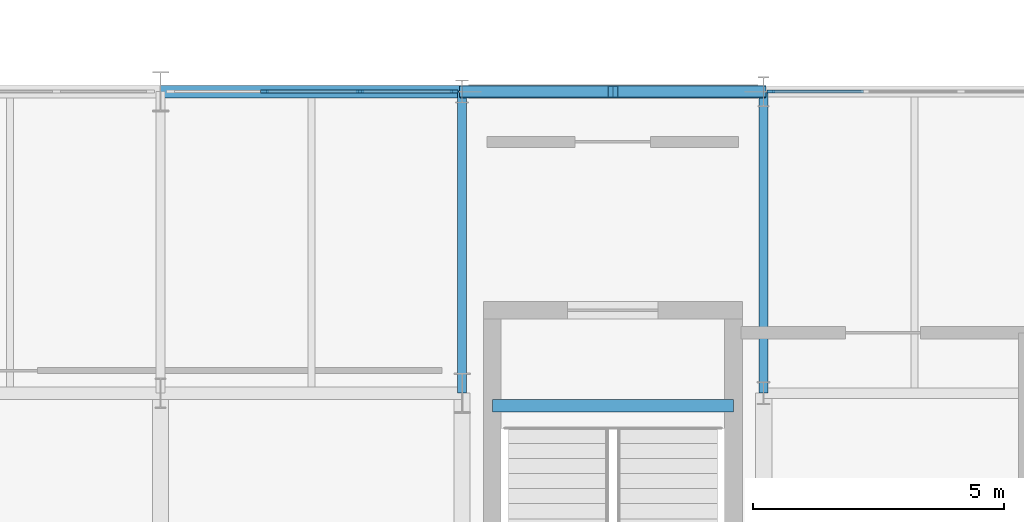
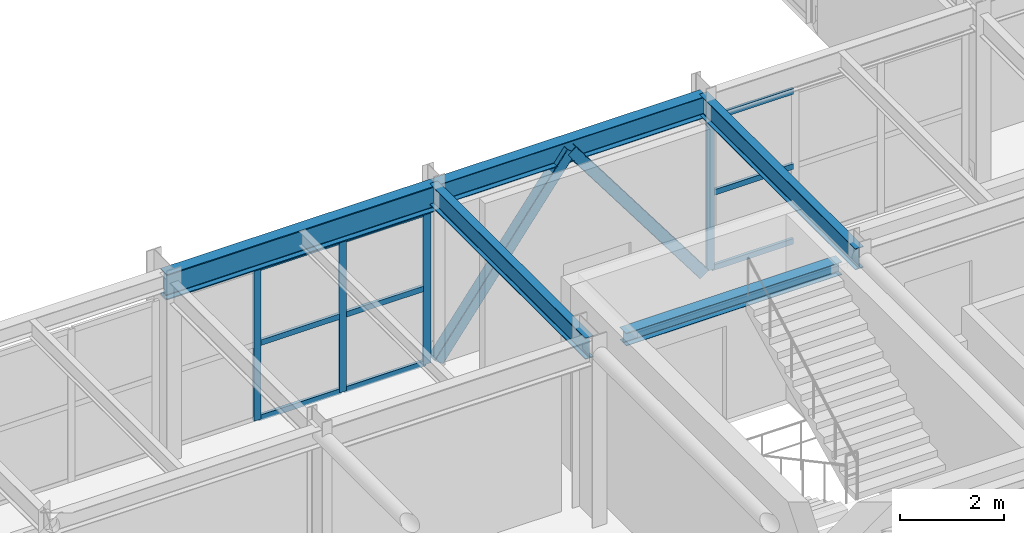
# One storey, part 32 of 84: 15 members, 5 beams, 2 elements without a shape of their own.
"""IFC4 building model written with IfcOpenShell, lengths in metres."""

from ifc_helpers import new_model, si_unit, direction, frame, origin, origin_2d, place, context, subcontext, project, spatial, rectangle, hollow_rectangle, i_section, extrude, material, material_profile, profile_set, type_object, element, aggregate, save


model = new_model("IFC4")

# Units and contexts
model_context = context("Model", 3, precision=1e-05, world=origin(), true_north=direction((0.0, 1.0)))
body_context = subcontext(model_context, "Body", "Model", "MODEL_VIEW")
ifc_project = project(units=[si_unit("LENGTHUNIT", "METRE"), si_unit("AREAUNIT", "SQUARE_METRE"), si_unit("VOLUMEUNIT", "CUBIC_METRE"), si_unit("PLANEANGLEUNIT", "RADIAN"), si_unit("MASSUNIT", "GRAM", prefix="KILO")], contexts=[model_context])

# Site, building, storey
site_placement = place(None, origin())
site = spatial("IfcSite", under=ifc_project, at=site_placement, CompositionType="ELEMENT")
building_placement = place(site_placement, origin())
building = spatial("IfcBuilding", under=site, at=building_placement, Name="Varnakota Square Police Headquarters", CompositionType="ELEMENT")
storey_placement = place(building_placement, frame((0.0, 0.0, 13.5)))
storey = spatial("IfcBuildingStorey", under=building, at=storey_placement, Name="L03", CompositionType="ELEMENT", Elevation=13.5)

# Beams
ifc_material_1 = material(Name="Steel IS 2062 Grade 350", Category="steel")
ifc_material_profile_1 = material_profile(ifc_material_1, i_section(OverallWidth=0.25, OverallDepth=0.300048828125, WebThickness=0.009521484375, FlangeThickness=0.010498046875, FilletRadius=0.011962890625, at=origin_2d()), Name="ISHB 300")
ifc_profile_set_1 = profile_set([ifc_material_profile_1], Name="Steel IS 2062 Grade 350")
beam_type_1 = type_object("IfcBeamType", Name="BM-ISHB300", PredefinedType="BEAM", material=ifc_profile_set_1)
beam_1_placement = place(storey_placement, frame((126.60009765625, 8.75, 4.14990234375), z_axis=(1.0, 0.0, 0.0), x_axis=(0.0, 1.0, 0.0)))
element("IfcBeam", 1, at=beam_1_placement, inside=storey, type_object=beam_type_1, Name="Stair landing support beam BM-LND-0009", PredefinedType="BEAM", context=body_context, shape_type="SweptSolid", body=[
    extrude(i_section(OverallWidth=0.25, OverallDepth=0.300048828125, WebThickness=0.009521484375, FlangeThickness=0.010498046875, FilletRadius=0.011962890625, at=origin_2d()), origin(), (0.0, 0.0, 1.0), 4.7998046875),
])
ifc_material_profile_2 = material_profile(ifc_material_1, i_section(OverallWidth=0.179931640625, OverallDepth=0.5, WebThickness=0.01025390625, FlangeThickness=0.01708984375, FilletRadius=0.01708984375, at=origin_2d()), Name="ISMB 500")
ifc_profile_set_2 = profile_set([ifc_material_profile_2], Name="Steel IS 2062 Grade 350")
beam_type_2 = type_object("IfcBeamType", Name="BM-ISMB500", PredefinedType="BEAM", material=ifc_profile_set_2)
for number, where, z_axis, x_axis, name in (
    (2, (126.0, 9.0, 3.949951171875), (0.0, 1.0, 0.0), (-1.0, 0.0, 0.0), "BMG-L03-2699"),
    (3, (132.0, 9.0, 3.949951171875), (0.0, 1.0, 0.0), (-1.0, 0.0, 0.0), "BMG-L03-2705"),
):
    element("IfcBeam", number, at=place(storey_placement, frame(where, z_axis=z_axis, x_axis=x_axis)), inside=storey, type_object=beam_type_2, Name=name, PredefinedType="BEAM", context=body_context, shape_type="SweptSolid", body=[
        extrude(i_section(OverallWidth=0.179931640625, OverallDepth=0.5, WebThickness=0.01025390625, FlangeThickness=0.01708984375, FilletRadius=0.01708984375, at=origin_2d()), origin(), (0.0, 0.0, 1.0), 6.0),
    ])
ifc_material_profile_3 = material_profile(ifc_material_1, i_section(OverallWidth=0.25, OverallDepth=0.5, WebThickness=0.010009765625, FlangeThickness=0.0146484375, FilletRadius=0.014892578125, at=origin_2d()), Name="ISWB 500")
ifc_profile_set_3 = profile_set([ifc_material_profile_3], Name="Steel IS 2062 Grade 350")
beam_type_3 = type_object("IfcBeamType", Name="BM-ISWB500", PredefinedType="BEAM", material=ifc_profile_set_3)
beam_2_placement = place(storey_placement, frame((126.0, 15.0, 3.949951171875), z_axis=(1.0, 0.0, 0.0), x_axis=(0.0, 1.0, 0.0)))
element("IfcBeam", 4, at=beam_2_placement, inside=storey, type_object=beam_type_3, Name="BMG-L03-2439", PredefinedType="BEAM", context=body_context, shape_type="SweptSolid", body=[
    extrude(i_section(OverallWidth=0.25, OverallDepth=0.5, WebThickness=0.010009765625, FlangeThickness=0.0146484375, FilletRadius=0.014892578125, at=origin_2d()), origin(), (0.0, 0.0, 1.0), 6.0),
])
ifc_material_profile_4 = material_profile(ifc_material_1, i_section(OverallWidth=0.25, OverallDepth=0.60009765625, WebThickness=0.01171875, FlangeThickness=0.023681640625, FilletRadius=0.01708984375, at=origin_2d()), Name="ISWB 600")
ifc_profile_set_4 = profile_set([ifc_material_profile_4], Name="Steel IS 2062 Grade 350")
beam_type_4 = type_object("IfcBeamType", Name="BM-ISWB600", PredefinedType="BEAM", material=ifc_profile_set_4)
beam_3_placement = place(storey_placement, frame((120.0, 15.0, 3.89990234375), z_axis=(1.0, 0.0, 0.0), x_axis=(0.0, 1.0, 0.0)))
element("IfcBeam", 5, at=beam_3_placement, inside=storey, type_object=beam_type_4, Name="BMG-L03-2438", PredefinedType="BEAM", context=body_context, shape_type="SweptSolid", body=[
    extrude(i_section(OverallWidth=0.25, OverallDepth=0.60009765625, WebThickness=0.01171875, FlangeThickness=0.023681640625, FilletRadius=0.01708984375, at=origin_2d()), origin(), (0.0, 0.0, 1.0), 6.0),
])

# Curtain wall, members
ifc_material_2 = material(Name="Anodised Aluminium Framing", Category="aluminium")
curtain_wall_type = type_object("IfcCurtainWallType", Name="CW-SYS-D", PredefinedType="NOTDEFINED", material=ifc_material_2)
curtain_wall_1_placement = place(storey_placement, origin())
curtain_wall_1 = element("IfcCurtainWall", 6, at=curtain_wall_1_placement, inside=storey, type_object=curtain_wall_type, Name="Unitised curtain wall CWG-L03-082", PredefinedType="NOTDEFINED")
ifc_material_3 = material(Name="Anodised Aluminium 6063-T6", Category="aluminium")
ifc_material_profile_5 = material_profile(ifc_material_3, rectangle(XDim=0.06494140625, YDim=0.159912109375, at=origin_2d()), Name="ALU MULLION 65x160")
ifc_profile_set_5 = profile_set([ifc_material_profile_5], Name="Anodised Aluminium 6063-T6")
member_type_1 = type_object("IfcMemberType", Name="CWM-150", PredefinedType="MULLION", material=ifc_profile_set_5)
member_1_placement = place(storey_placement, frame((122.066650390625, 15.0, 0.0), z_axis=(0.0, 0.0, 1.0), x_axis=(0.0, 1.0, 0.0)))
member_1 = element("IfcMember", 7, at=member_1_placement, type_object=member_type_1, Name="CWG-L03-082 mullion 2", PredefinedType="MULLION", context=body_context, shape_type="SweptSolid", body=[
    extrude(rectangle(XDim=0.06494140625, YDim=0.159912109375, at=origin_2d()), origin(), (0.0, 0.0, 1.0), 3.590087890625),
])
member_2_placement = place(storey_placement, frame((123.96826171875, 15.0, 0.0), z_axis=(0.0, 0.0, 1.0), x_axis=(0.0, 1.0, 0.0)))
member_2 = element("IfcMember", 8, at=member_2_placement, type_object=member_type_1, Name="CWG-L03-082 mullion 3", PredefinedType="MULLION", context=body_context, shape_type="SweptSolid", body=[
    extrude(rectangle(XDim=0.06494140625, YDim=0.159912109375, at=origin_2d()), origin(), (0.0, 0.0, 1.0), 3.590087890625),
])
member_3_placement = place(storey_placement, frame((125.83740234375, 15.0, 0.0), z_axis=(0.0, 0.0, 1.0), x_axis=(0.0, 1.0, 0.0)))
member_3 = element("IfcMember", 9, at=member_3_placement, type_object=member_type_1, Name="CWG-L03-082 mullion 4", PredefinedType="MULLION", context=body_context, shape_type="SweptSolid", body=[
    extrude(rectangle(XDim=0.06494140625, YDim=0.159912109375, at=origin_2d()), origin(), (0.0, 0.0, 1.0), 3.590087890625),
])

# Curtain wall, member
curtain_wall_2_placement = place(storey_placement, origin())
curtain_wall_2 = element("IfcCurtainWall", 10, at=curtain_wall_2_placement, inside=storey, type_object=curtain_wall_type, Name="Unitised curtain wall CWG-L03-083", PredefinedType="NOTDEFINED")
member_4_placement = place(storey_placement, frame((132.142578125, 15.0, 0.0), z_axis=(0.0, 0.0, 1.0), x_axis=(0.0, 1.0, 0.0)))
member_4 = element("IfcMember", 11, at=member_4_placement, type_object=member_type_1, Name="CWG-L03-083 mullion 1", PredefinedType="MULLION", context=body_context, shape_type="SweptSolid", body=[
    extrude(rectangle(XDim=0.06494140625, YDim=0.159912109375, at=origin_2d()), origin(), (0.0, 0.0, 1.0), 3.590087890625),
])

# Member
ifc_material_profile_6 = material_profile(ifc_material_3, rectangle(XDim=0.06494140625, YDim=0.1298828125, at=origin_2d()), Name="ALU TRANSOM 65x130")
ifc_profile_set_6 = profile_set([ifc_material_profile_6], Name="Anodised Aluminium 6063-T6")
member_type_2 = type_object("IfcMemberType", Name="CWT-120", PredefinedType="USERDEFINED", material=ifc_profile_set_6)
member_5_placement = place(storey_placement, frame((122.09912109375, 15.0, 0.032470703125), z_axis=(1.0, 0.0, 0.0), x_axis=(0.0, 1.0, 0.0)))
member_5 = element("IfcMember", 12, at=member_5_placement, type_object=member_type_2, Name="CWG-L03-082 transom 2.1", ObjectType="TRANSOM", PredefinedType="USERDEFINED", context=body_context, shape_type="SweptSolid", body=[
    extrude(rectangle(XDim=0.06494140625, YDim=0.1298828125, at=origin_2d()), origin(), (0.0, 0.0, 1.0), 1.836669921875),
])

member_6_placement = place(storey_placement, frame((122.09912109375, 15.0, 1.794921875), z_axis=(1.0, 0.0, 0.0), x_axis=(0.0, 1.0, 0.0)))
member_6 = element("IfcMember", 13, at=member_6_placement, type_object=member_type_2, Name="CWG-L03-082 transom 2.2", ObjectType="TRANSOM", PredefinedType="USERDEFINED", context=body_context, shape_type="SweptSolid", body=[
    extrude(rectangle(XDim=0.06494140625, YDim=0.1298828125, at=origin_2d()), origin(), (0.0, 0.0, 1.0), 1.836669921875),
])

member_7_placement = place(storey_placement, frame((122.09912109375, 15.0, 3.5576171875), z_axis=(1.0, 0.0, 0.0), x_axis=(0.0, 1.0, 0.0)))
member_7 = element("IfcMember", 14, at=member_7_placement, type_object=member_type_2, Name="CWG-L03-082 transom 2.3", ObjectType="TRANSOM", PredefinedType="USERDEFINED", context=body_context, shape_type="SweptSolid", body=[
    extrude(rectangle(XDim=0.06494140625, YDim=0.1298828125, at=origin_2d()), origin(), (0.0, 0.0, 1.0), 1.836669921875),
])

member_8_placement = place(storey_placement, frame((124.000732421875, 15.0, 0.032470703125), z_axis=(1.0, 0.0, 0.0), x_axis=(0.0, 1.0, 0.0)))
member_8 = element("IfcMember", 15, at=member_8_placement, type_object=member_type_2, Name="CWG-L03-082 transom 3.1", ObjectType="TRANSOM", PredefinedType="USERDEFINED", context=body_context, shape_type="SweptSolid", body=[
    extrude(rectangle(XDim=0.06494140625, YDim=0.1298828125, at=origin_2d()), origin(), (0.0, 0.0, 1.0), 1.80419921875),
])

member_9_placement = place(storey_placement, frame((124.000732421875, 15.0, 1.794921875), z_axis=(1.0, 0.0, 0.0), x_axis=(0.0, 1.0, 0.0)))
member_9 = element("IfcMember", 16, at=member_9_placement, type_object=member_type_2, Name="CWG-L03-082 transom 3.2", ObjectType="TRANSOM", PredefinedType="USERDEFINED", context=body_context, shape_type="SweptSolid", body=[
    extrude(rectangle(XDim=0.06494140625, YDim=0.1298828125, at=origin_2d()), origin(), (0.0, 0.0, 1.0), 1.80419921875),
])

member_10_placement = place(storey_placement, frame((124.000732421875, 15.0, 3.5576171875), z_axis=(1.0, 0.0, 0.0), x_axis=(0.0, 1.0, 0.0)))
member_10 = element("IfcMember", 17, at=member_10_placement, type_object=member_type_2, Name="CWG-L03-082 transom 3.3", ObjectType="TRANSOM", PredefinedType="USERDEFINED", context=body_context, shape_type="SweptSolid", body=[
    extrude(rectangle(XDim=0.06494140625, YDim=0.1298828125, at=origin_2d()), origin(), (0.0, 0.0, 1.0), 1.80419921875),
])

aggregate(curtain_wall_1, [member_1, member_2, member_3, member_5, member_6, member_7, member_8, member_9, member_10])

member_11_placement = place(storey_placement, frame((132.175048828125, 15.0, 0.032470703125), z_axis=(1.0, 0.0, 0.0), x_axis=(0.0, 1.0, 0.0)))
member_11 = element("IfcMember", 18, at=member_11_placement, type_object=member_type_2, Name="CWG-L03-083 transom 1.1", ObjectType="TRANSOM", PredefinedType="USERDEFINED", context=body_context, shape_type="SweptSolid", body=[
    extrude(rectangle(XDim=0.06494140625, YDim=0.1298828125, at=origin_2d()), origin(), (0.0, 0.0, 1.0), 1.810791015625),
])

member_12_placement = place(storey_placement, frame((132.175048828125, 15.0, 1.794921875), z_axis=(1.0, 0.0, 0.0), x_axis=(0.0, 1.0, 0.0)))
member_12 = element("IfcMember", 19, at=member_12_placement, type_object=member_type_2, Name="CWG-L03-083 transom 1.2", ObjectType="TRANSOM", PredefinedType="USERDEFINED", context=body_context, shape_type="SweptSolid", body=[
    extrude(rectangle(XDim=0.06494140625, YDim=0.1298828125, at=origin_2d()), origin(), (0.0, 0.0, 1.0), 1.810791015625),
])

member_13_placement = place(storey_placement, frame((132.175048828125, 15.0, 3.5576171875), z_axis=(1.0, 0.0, 0.0), x_axis=(0.0, 1.0, 0.0)))
member_13 = element("IfcMember", 20, at=member_13_placement, type_object=member_type_2, Name="CWG-L03-083 transom 1.3", ObjectType="TRANSOM", PredefinedType="USERDEFINED", context=body_context, shape_type="SweptSolid", body=[
    extrude(rectangle(XDim=0.06494140625, YDim=0.1298828125, at=origin_2d()), origin(), (0.0, 0.0, 1.0), 1.810791015625),
])

aggregate(curtain_wall_2, [member_4, member_11, member_12, member_13])

# Members
ifc_material_profile_7 = material_profile(ifc_material_1, hollow_rectangle(XDim=0.25, YDim=0.25, WallThickness=0.011962890625, InnerFilletRadius=0.011962890625, OuterFilletRadius=0.02392578125, at=origin_2d()), Name="SHS 250x250x12")
ifc_profile_set_7 = profile_set([ifc_material_profile_7], Name="Steel IS 2062 Grade 350")
member_type_3 = type_object("IfcMemberType", Name="MEM-BR-SHS250", PredefinedType="BRACE", material=ifc_profile_set_7)
for number, where, z_axis, x_axis, name in (
    (21, (126.050048828125, 15.0, 0.02001953125), (0.600325874044, 0.0, 0.79975549073), (0.0, 1.0, 0.0), "Lateral brace BF1 L03 left"),
    (22, (131.949951171875, 15.0, 0.02001953125), (-0.600325874044, 0.0, 0.79975549073), (0.0, -1.0, 0.0), "Lateral brace BF1 L03 right"),
):
    element("IfcMember", number, at=place(storey_placement, frame(where, z_axis=z_axis, x_axis=x_axis)), inside=storey, type_object=member_type_3, Name=name, PredefinedType="BRACE", context=body_context, shape_type="SweptSolid", body=[
        extrude(hollow_rectangle(XDim=0.25, YDim=0.25, WallThickness=0.011962890625, InnerFilletRadius=0.011962890625, OuterFilletRadius=0.02392578125, at=origin_2d()), origin(), (0.0, 0.0, 1.0), 4.913818359375),
    ])

save(model, "model.ifc")
